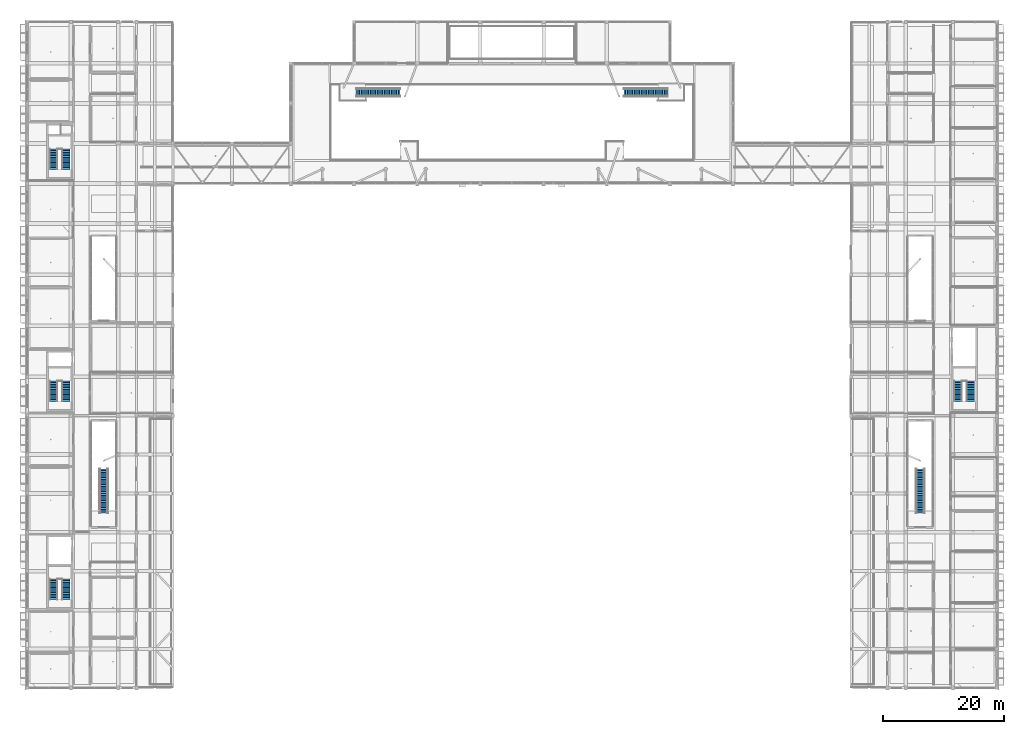
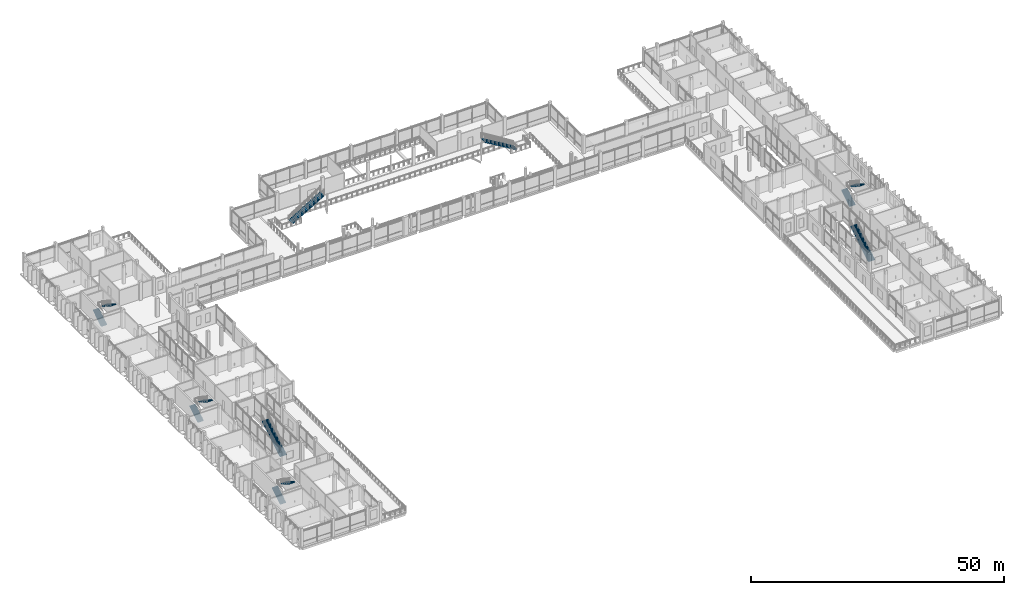
# One storey, part 65 of 95: 12 stair flights, 8 elements without a shape of their own.
"""IFC4 building model written with IfcOpenShell, lengths in metres."""

from ifc_helpers import new_model, si_unit, derived_unit, direction, frame, origin, place, context, subcontext, project, spatial, polyline, outline, extrude, material, type_object, element, aggregate, save


model = new_model("IFC4")

# Units and contexts
model_context = context("Model", 3, precision=1e-05, world=origin(), true_north=direction((0.0, 1.0)))
body_context = subcontext(model_context, "Body", "Model", "MODEL_VIEW")
ifc_project = project(units=[si_unit("LENGTHUNIT", "METRE"), si_unit("AREAUNIT", "SQUARE_METRE"), si_unit("VOLUMEUNIT", "CUBIC_METRE"), si_unit("PLANEANGLEUNIT", "RADIAN"), si_unit("MASSUNIT", "GRAM", prefix="KILO"), derived_unit("THERMALTRANSMITTANCEUNIT", [(si_unit("POWERUNIT", "WATT"), 1), (si_unit("LENGTHUNIT", "METRE"), -2), (si_unit("THERMODYNAMICTEMPERATUREUNIT", "KELVIN"), -1)])], contexts=[model_context])

# Site, building, storey
site_placement = place(None, origin())
site = spatial("IfcSite", under=ifc_project, at=site_placement, CompositionType="ELEMENT")
building_placement = place(site_placement, origin())
building = spatial("IfcBuilding", under=site, at=building_placement, Name="Braskholm Square Health Centre", CompositionType="ELEMENT")
storey_placement = place(building_placement, frame((0.0, 0.0, 4.800048828125)))
storey = spatial("IfcBuildingStorey", under=building, at=storey_placement, Name="L02", CompositionType="ELEMENT", Elevation=4.800048828125)

# Stair, stair flights
ifc_material = material(Name="Concrete C35/45 (f'c = 35 MPa)", Category="concrete")
stair_type_1 = type_object("IfcStairType", Name="ExitReturnStairL02", PredefinedType="HALF_TURN_STAIR", material=ifc_material)
stair_1_placement = place(storey_placement, origin())
stair_1 = element("IfcStair", 1, at=stair_1_placement, inside=storey, type_object=stair_type_1, Name="Enclosed exit stair ST-01 L02 to L03", PredefinedType="HALF_TURN_STAIR")
stair_flight_type_1 = type_object("IfcStairFlightType", Name="ExitStairFlightL02", PredefinedType="STRAIGHT", material=ifc_material)
stair_flight_1_placement = place(storey_placement, frame((8.510009765625, 18.760009765625, 0.0), z_axis=(0.0, 0.0, 1.0), x_axis=(0.0, 1.0, 0.0)))
stair_flight_1 = element("IfcStairFlight", 2, at=stair_flight_1_placement, type_object=stair_flight_type_1, Name="Stair ST-01 lower flight L02", NumberOfRisers=13, NumberOfTreads=12, PredefinedType="STRAIGHT", RiserHeight=0.173077, TreadLength=0.28, context=body_context, shape_type="SweptSolid", body=[
    extrude(outline(polyline([(0.0, 0.0), (0.0, 0.173095703125), (0.280029296875, 0.173095703125), (0.280029296875, 0.34619140625), (0.56005859375, 0.34619140625), (0.56005859375, 0.519287109375), (0.840087890625, 0.519287109375), (0.840087890625, 0.6923828125), (1.1201171875, 0.6923828125), (1.1201171875, 0.865478515625), (1.39990234375, 0.865478515625), (1.39990234375, 1.03857421875), (1.679931640625, 1.03857421875), (1.679931640625, 1.21142578125), (1.9599609375, 1.21142578125), (1.9599609375, 1.384521484375), (2.239990234375, 1.384521484375), (2.239990234375, 1.5576171875), (2.52001953125, 1.5576171875), (2.52001953125, 1.730712890625), (2.800048828125, 1.730712890625), (2.800048828125, 1.90380859375), (3.080078125, 1.90380859375), (3.080078125, 2.076904296875), (3.360107421875, 2.076904296875), (3.360107421875, 2.25), (3.360107421875, 1.888916015625), (0.30419921875, 0.0), (0.0, 0.0)])), frame((0.0, 0.66015625, 0.0), z_axis=(0.0, -1.0, 0.0), x_axis=(1.0, 0.0, 0.0)), (0.0, 0.0, 1.0), 1.320068359375),
])
stair_flight_2_placement = place(storey_placement, frame((10.590087890625, 22.1201171875, 2.25), z_axis=(0.0, 0.0, 1.0), x_axis=(0.0, -1.0, 0.0)))
stair_flight_2 = element("IfcStairFlight", 3, at=stair_flight_2_placement, type_object=stair_flight_type_1, Name="Stair ST-01 upper flight L02", NumberOfRisers=13, NumberOfTreads=12, PredefinedType="STRAIGHT", RiserHeight=0.173077, TreadLength=0.28, context=body_context, shape_type="SweptSolid", body=[
    extrude(outline(polyline([(0.0, 0.0), (0.0, 0.173095703125), (0.280029296875, 0.173095703125), (0.280029296875, 0.34619140625), (0.56005859375, 0.34619140625), (0.56005859375, 0.519287109375), (0.840087890625, 0.519287109375), (0.840087890625, 0.6923828125), (1.1201171875, 0.6923828125), (1.1201171875, 0.865478515625), (1.39990234375, 0.865478515625), (1.39990234375, 1.03857421875), (1.679931640625, 1.03857421875), (1.679931640625, 1.21142578125), (1.9599609375, 1.21142578125), (1.9599609375, 1.384521484375), (2.239990234375, 1.384521484375), (2.239990234375, 1.5576171875), (2.52001953125, 1.5576171875), (2.52001953125, 1.730712890625), (2.800048828125, 1.730712890625), (2.800048828125, 1.90380859375), (3.080078125, 1.90380859375), (3.080078125, 2.076904296875), (3.360107421875, 2.076904296875), (3.360107421875, 2.25), (3.360107421875, 1.888916015625), (0.30419921875, 0.0), (0.0, 0.0)])), frame((0.0, 0.66015625, 0.0), z_axis=(0.0, -1.0, 0.0), x_axis=(1.0, 0.0, 0.0)), (0.0, 0.0, 1.0), 1.320068359375),
])
aggregate(stair_1, [stair_flight_1, stair_flight_2])

stair_2_placement = place(storey_placement, origin())
stair_2 = element("IfcStair", 4, at=stair_2_placement, inside=storey, type_object=stair_type_1, Name="Enclosed exit stair ST-02 L02 to L03", PredefinedType="HALF_TURN_STAIR")
stair_flight_3_placement = place(storey_placement, frame((8.510009765625, 51.360107421875, 0.0), z_axis=(0.0, 0.0, 1.0), x_axis=(0.0, 1.0, 0.0)))
stair_flight_3 = element("IfcStairFlight", 5, at=stair_flight_3_placement, type_object=stair_flight_type_1, Name="Stair ST-02 lower flight L02", NumberOfRisers=13, NumberOfTreads=12, PredefinedType="STRAIGHT", RiserHeight=0.173077, TreadLength=0.28, context=body_context, shape_type="SweptSolid", body=[
    extrude(outline(polyline([(0.0, 0.0), (0.0, 0.173095703125), (0.280029296875, 0.173095703125), (0.280029296875, 0.34619140625), (0.56005859375, 0.34619140625), (0.56005859375, 0.519287109375), (0.840087890625, 0.519287109375), (0.840087890625, 0.6923828125), (1.1201171875, 0.6923828125), (1.1201171875, 0.865478515625), (1.39990234375, 0.865478515625), (1.39990234375, 1.03857421875), (1.679931640625, 1.03857421875), (1.679931640625, 1.21142578125), (1.9599609375, 1.21142578125), (1.9599609375, 1.384521484375), (2.239990234375, 1.384521484375), (2.239990234375, 1.5576171875), (2.52001953125, 1.5576171875), (2.52001953125, 1.730712890625), (2.800048828125, 1.730712890625), (2.800048828125, 1.90380859375), (3.080078125, 1.90380859375), (3.080078125, 2.076904296875), (3.360107421875, 2.076904296875), (3.360107421875, 2.25), (3.360107421875, 1.888916015625), (0.30419921875, 0.0), (0.0, 0.0)])), frame((0.0, 0.66015625, 0.0), z_axis=(0.0, -1.0, 0.0), x_axis=(1.0, 0.0, 0.0)), (0.0, 0.0, 1.0), 1.320068359375),
])
stair_flight_4_placement = place(storey_placement, frame((10.590087890625, 54.719970703125, 2.25), z_axis=(0.0, 0.0, 1.0), x_axis=(0.0, -1.0, 0.0)))
stair_flight_4 = element("IfcStairFlight", 6, at=stair_flight_4_placement, type_object=stair_flight_type_1, Name="Stair ST-02 upper flight L02", NumberOfRisers=13, NumberOfTreads=12, PredefinedType="STRAIGHT", RiserHeight=0.173077, TreadLength=0.28, context=body_context, shape_type="SweptSolid", body=[
    extrude(outline(polyline([(0.0, 0.0), (0.0, 0.173095703125), (0.280029296875, 0.173095703125), (0.280029296875, 0.34619140625), (0.56005859375, 0.34619140625), (0.56005859375, 0.519287109375), (0.840087890625, 0.519287109375), (0.840087890625, 0.6923828125), (1.1201171875, 0.6923828125), (1.1201171875, 0.865478515625), (1.39990234375, 0.865478515625), (1.39990234375, 1.03857421875), (1.679931640625, 1.03857421875), (1.679931640625, 1.21142578125), (1.9599609375, 1.21142578125), (1.9599609375, 1.384521484375), (2.239990234375, 1.384521484375), (2.239990234375, 1.5576171875), (2.52001953125, 1.5576171875), (2.52001953125, 1.730712890625), (2.800048828125, 1.730712890625), (2.800048828125, 1.90380859375), (3.080078125, 1.90380859375), (3.080078125, 2.076904296875), (3.360107421875, 2.076904296875), (3.360107421875, 2.25), (3.360107421875, 1.888916015625), (0.30419921875, 0.0), (0.0, 0.0)])), frame((0.0, 0.66015625, 0.0), z_axis=(0.0, -1.0, 0.0), x_axis=(1.0, 0.0, 0.0)), (0.0, 0.0, 1.0), 1.320068359375),
])
aggregate(stair_2, [stair_flight_3, stair_flight_4])

stair_3_placement = place(storey_placement, origin())
stair_3 = element("IfcStair", 7, at=stair_3_placement, inside=storey, type_object=stair_type_1, Name="Enclosed exit stair ST-03 L02 to L03", PredefinedType="HALF_TURN_STAIR")
stair_flight_5_placement = place(storey_placement, frame((8.510009765625, 89.56005859375, 0.0), z_axis=(0.0, 0.0, 1.0), x_axis=(0.0, 1.0, 0.0)))
stair_flight_5 = element("IfcStairFlight", 8, at=stair_flight_5_placement, type_object=stair_flight_type_1, Name="Stair ST-03 lower flight L02", NumberOfRisers=13, NumberOfTreads=12, PredefinedType="STRAIGHT", RiserHeight=0.173077, TreadLength=0.28, context=body_context, shape_type="SweptSolid", body=[
    extrude(outline(polyline([(0.0, 0.0), (0.0, 0.173095703125), (0.280029296875, 0.173095703125), (0.280029296875, 0.34619140625), (0.56005859375, 0.34619140625), (0.56005859375, 0.519287109375), (0.840087890625, 0.519287109375), (0.840087890625, 0.6923828125), (1.1201171875, 0.6923828125), (1.1201171875, 0.865478515625), (1.39990234375, 0.865478515625), (1.39990234375, 1.03857421875), (1.679931640625, 1.03857421875), (1.679931640625, 1.21142578125), (1.9599609375, 1.21142578125), (1.9599609375, 1.384521484375), (2.239990234375, 1.384521484375), (2.239990234375, 1.5576171875), (2.52001953125, 1.5576171875), (2.52001953125, 1.730712890625), (2.800048828125, 1.730712890625), (2.800048828125, 1.90380859375), (3.080078125, 1.90380859375), (3.080078125, 2.076904296875), (3.360107421875, 2.076904296875), (3.360107421875, 2.25), (3.360107421875, 1.888916015625), (0.30419921875, 0.0), (0.0, 0.0)])), frame((0.0, 0.66015625, 0.0), z_axis=(0.0, -1.0, 0.0), x_axis=(1.0, 0.0, 0.0)), (0.0, 0.0, 1.0), 1.320068359375),
])
stair_flight_6_placement = place(storey_placement, frame((10.590087890625, 92.919921875, 2.25), z_axis=(0.0, 0.0, 1.0), x_axis=(0.0, -1.0, 0.0)))
stair_flight_6 = element("IfcStairFlight", 9, at=stair_flight_6_placement, type_object=stair_flight_type_1, Name="Stair ST-03 upper flight L02", NumberOfRisers=13, NumberOfTreads=12, PredefinedType="STRAIGHT", RiserHeight=0.173077, TreadLength=0.28, context=body_context, shape_type="SweptSolid", body=[
    extrude(outline(polyline([(0.0, 0.0), (0.0, 0.173095703125), (0.280029296875, 0.173095703125), (0.280029296875, 0.34619140625), (0.56005859375, 0.34619140625), (0.56005859375, 0.519287109375), (0.840087890625, 0.519287109375), (0.840087890625, 0.6923828125), (1.1201171875, 0.6923828125), (1.1201171875, 0.865478515625), (1.39990234375, 0.865478515625), (1.39990234375, 1.03857421875), (1.679931640625, 1.03857421875), (1.679931640625, 1.21142578125), (1.9599609375, 1.21142578125), (1.9599609375, 1.384521484375), (2.239990234375, 1.384521484375), (2.239990234375, 1.5576171875), (2.52001953125, 1.5576171875), (2.52001953125, 1.730712890625), (2.800048828125, 1.730712890625), (2.800048828125, 1.90380859375), (3.080078125, 1.90380859375), (3.080078125, 2.076904296875), (3.360107421875, 2.076904296875), (3.360107421875, 2.25), (3.360107421875, 1.888916015625), (0.30419921875, 0.0), (0.0, 0.0)])), frame((0.0, 0.66015625, 0.0), z_axis=(0.0, -1.0, 0.0), x_axis=(1.0, 0.0, 0.0)), (0.0, 0.0, 1.0), 1.320068359375),
])
aggregate(stair_3, [stair_flight_5, stair_flight_6])

stair_4_placement = place(storey_placement, origin())
stair_4 = element("IfcStair", 10, at=stair_4_placement, inside=storey, type_object=stair_type_1, Name="Enclosed exit stair ST-04 L02 to L03", PredefinedType="HALF_TURN_STAIR")
stair_flight_7_placement = place(storey_placement, frame((157.409912109375, 51.360107421875, 0.0), z_axis=(0.0, 0.0, 1.0), x_axis=(0.0, 1.0, 0.0)))
stair_flight_7 = element("IfcStairFlight", 11, at=stair_flight_7_placement, type_object=stair_flight_type_1, Name="Stair ST-04 lower flight L02", NumberOfRisers=13, NumberOfTreads=12, PredefinedType="STRAIGHT", RiserHeight=0.173077, TreadLength=0.28, context=body_context, shape_type="SweptSolid", body=[
    extrude(outline(polyline([(0.0, 0.0), (0.0, 0.173095703125), (0.280029296875, 0.173095703125), (0.280029296875, 0.34619140625), (0.56005859375, 0.34619140625), (0.56005859375, 0.519287109375), (0.840087890625, 0.519287109375), (0.840087890625, 0.6923828125), (1.1201171875, 0.6923828125), (1.1201171875, 0.865478515625), (1.39990234375, 0.865478515625), (1.39990234375, 1.03857421875), (1.679931640625, 1.03857421875), (1.679931640625, 1.21142578125), (1.9599609375, 1.21142578125), (1.9599609375, 1.384521484375), (2.239990234375, 1.384521484375), (2.239990234375, 1.5576171875), (2.52001953125, 1.5576171875), (2.52001953125, 1.730712890625), (2.800048828125, 1.730712890625), (2.800048828125, 1.90380859375), (3.080078125, 1.90380859375), (3.080078125, 2.076904296875), (3.360107421875, 2.076904296875), (3.360107421875, 2.25), (3.360107421875, 1.888916015625), (0.30419921875, 0.0), (0.0, 0.0)])), frame((0.0, 0.66015625, 0.0), z_axis=(0.0, -1.0, 0.0), x_axis=(1.0, 0.0, 0.0)), (0.0, 0.0, 1.0), 1.320068359375),
])
stair_flight_8_placement = place(storey_placement, frame((159.489990234375, 54.719970703125, 2.25), z_axis=(0.0, 0.0, 1.0), x_axis=(0.0, -1.0, 0.0)))
stair_flight_8 = element("IfcStairFlight", 12, at=stair_flight_8_placement, type_object=stair_flight_type_1, Name="Stair ST-04 upper flight L02", NumberOfRisers=13, NumberOfTreads=12, PredefinedType="STRAIGHT", RiserHeight=0.173077, TreadLength=0.28, context=body_context, shape_type="SweptSolid", body=[
    extrude(outline(polyline([(0.0, 0.0), (0.0, 0.173095703125), (0.280029296875, 0.173095703125), (0.280029296875, 0.34619140625), (0.56005859375, 0.34619140625), (0.56005859375, 0.519287109375), (0.840087890625, 0.519287109375), (0.840087890625, 0.6923828125), (1.1201171875, 0.6923828125), (1.1201171875, 0.865478515625), (1.39990234375, 0.865478515625), (1.39990234375, 1.03857421875), (1.679931640625, 1.03857421875), (1.679931640625, 1.21142578125), (1.9599609375, 1.21142578125), (1.9599609375, 1.384521484375), (2.239990234375, 1.384521484375), (2.239990234375, 1.5576171875), (2.52001953125, 1.5576171875), (2.52001953125, 1.730712890625), (2.800048828125, 1.730712890625), (2.800048828125, 1.90380859375), (3.080078125, 1.90380859375), (3.080078125, 2.076904296875), (3.360107421875, 2.076904296875), (3.360107421875, 2.25), (3.360107421875, 1.888916015625), (0.30419921875, 0.0), (0.0, 0.0)])), frame((0.0, 0.66015625, 0.0), z_axis=(0.0, -1.0, 0.0), x_axis=(1.0, 0.0, 0.0)), (0.0, 0.0, 1.0), 1.320068359375),
])
aggregate(stair_4, [stair_flight_7, stair_flight_8])

# Stair, stair flight
stair_type_2 = type_object("IfcStairType", Name="StraightRunStairConservatory", PredefinedType="STRAIGHT_RUN_STAIR", material=ifc_material)
stair_5_placement = place(storey_placement, origin())
stair_5 = element("IfcStair", 13, at=stair_5_placement, inside=storey, type_object=stair_type_2, Name="Enclosed atrium feature stair ST-11", PredefinedType="STRAIGHT_RUN_STAIR")
stair_flight_type_2 = type_object("IfcStairFlightType", Name="StraightFlightConservatory", PredefinedType="STRAIGHT", material=ifc_material)
stair_flight_9_placement = place(storey_placement, frame((58.35009765625, 102.199951171875, 0.0), z_axis=(0.0, 0.0, 1.0), x_axis=(1.0, 0.0, 0.0)))
stair_flight_9 = element("IfcStairFlight", 14, at=stair_flight_9_placement, type_object=stair_flight_type_2, Name="Stair ST-11 straight flight", NumberOfRisers=26, NumberOfTreads=25, PredefinedType="STRAIGHT", RiserHeight=0.173077, TreadLength=0.29, context=body_context, shape_type="SweptSolid", body=[
    extrude(outline(polyline([(0.0, 0.0), (0.0, 0.173095703125), (0.2900390625, 0.173095703125), (0.2900390625, 0.34619140625), (0.580078125, 0.34619140625), (0.580078125, 0.519287109375), (0.8701171875, 0.519287109375), (0.8701171875, 0.6923828125), (1.159912109375, 0.6923828125), (1.159912109375, 0.865478515625), (1.449951171875, 0.865478515625), (1.449951171875, 1.03857421875), (1.739990234375, 1.03857421875), (1.739990234375, 1.21142578125), (2.030029296875, 1.21142578125), (2.030029296875, 1.384521484375), (2.320068359375, 1.384521484375), (2.320068359375, 1.5576171875), (2.610107421875, 1.5576171875), (2.610107421875, 1.730712890625), (2.89990234375, 1.730712890625), (2.89990234375, 1.90380859375), (3.18994140625, 1.90380859375), (3.18994140625, 2.076904296875), (3.47998046875, 2.076904296875), (3.47998046875, 2.25), (3.77001953125, 2.25), (3.77001953125, 2.423095703125), (4.06005859375, 2.423095703125), (4.06005859375, 2.59619140625), (4.35009765625, 2.59619140625), (4.35009765625, 2.769287109375), (4.639892578125, 2.769287109375), (4.639892578125, 2.9423828125), (4.929931640625, 2.9423828125), (4.929931640625, 3.115478515625), (5.219970703125, 3.115478515625), (5.219970703125, 3.28857421875), (5.510009765625, 3.28857421875), (5.510009765625, 3.46142578125), (5.800048828125, 3.46142578125), (5.800048828125, 3.634521484375), (6.090087890625, 3.634521484375), (6.090087890625, 3.8076171875), (6.3798828125, 3.8076171875), (6.3798828125, 3.980712890625), (6.669921875, 3.980712890625), (6.669921875, 4.15380859375), (6.9599609375, 4.15380859375), (6.9599609375, 4.326904296875), (7.25, 4.326904296875), (7.25, 4.5), (7.25, 4.117431640625), (0.35107421875, 0.0), (0.0, 0.0)])), frame((0.0, 0.75, 0.0), z_axis=(0.0, -1.0, 0.0), x_axis=(1.0, 0.0, 0.0)), (0.0, 0.0, 1.0), 1.5),
])
aggregate(stair_5, [stair_flight_9])

stair_6_placement = place(storey_placement, origin())
stair_6 = element("IfcStair", 15, at=stair_6_placement, inside=storey, type_object=stair_type_2, Name="Enclosed atrium feature stair ST-12", PredefinedType="STRAIGHT_RUN_STAIR")
stair_flight_10_placement = place(storey_placement, frame((109.64990234375, 102.199951171875, 0.0), z_axis=(0.0, 0.0, 1.0), x_axis=(-1.0, 0.0, 0.0)))
stair_flight_10 = element("IfcStairFlight", 16, at=stair_flight_10_placement, type_object=stair_flight_type_2, Name="Stair ST-12 straight flight", NumberOfRisers=26, NumberOfTreads=25, PredefinedType="STRAIGHT", RiserHeight=0.173077, TreadLength=0.29, context=body_context, shape_type="SweptSolid", body=[
    extrude(outline(polyline([(0.0, 0.0), (0.0, 0.173095703125), (0.2900390625, 0.173095703125), (0.2900390625, 0.34619140625), (0.580078125, 0.34619140625), (0.580078125, 0.519287109375), (0.8701171875, 0.519287109375), (0.8701171875, 0.6923828125), (1.159912109375, 0.6923828125), (1.159912109375, 0.865478515625), (1.449951171875, 0.865478515625), (1.449951171875, 1.03857421875), (1.739990234375, 1.03857421875), (1.739990234375, 1.21142578125), (2.030029296875, 1.21142578125), (2.030029296875, 1.384521484375), (2.320068359375, 1.384521484375), (2.320068359375, 1.5576171875), (2.610107421875, 1.5576171875), (2.610107421875, 1.730712890625), (2.89990234375, 1.730712890625), (2.89990234375, 1.90380859375), (3.18994140625, 1.90380859375), (3.18994140625, 2.076904296875), (3.47998046875, 2.076904296875), (3.47998046875, 2.25), (3.77001953125, 2.25), (3.77001953125, 2.423095703125), (4.06005859375, 2.423095703125), (4.06005859375, 2.59619140625), (4.35009765625, 2.59619140625), (4.35009765625, 2.769287109375), (4.639892578125, 2.769287109375), (4.639892578125, 2.9423828125), (4.929931640625, 2.9423828125), (4.929931640625, 3.115478515625), (5.219970703125, 3.115478515625), (5.219970703125, 3.28857421875), (5.510009765625, 3.28857421875), (5.510009765625, 3.46142578125), (5.800048828125, 3.46142578125), (5.800048828125, 3.634521484375), (6.090087890625, 3.634521484375), (6.090087890625, 3.8076171875), (6.3798828125, 3.8076171875), (6.3798828125, 3.980712890625), (6.669921875, 3.980712890625), (6.669921875, 4.15380859375), (6.9599609375, 4.15380859375), (6.9599609375, 4.326904296875), (7.25, 4.326904296875), (7.25, 4.5), (7.25, 4.117431640625), (0.35107421875, 0.0), (0.0, 0.0)])), frame((0.0, 0.75, 0.0), z_axis=(0.0, -1.0, 0.0), x_axis=(1.0, 0.0, 0.0)), (0.0, 0.0, 1.0), 1.5),
])
aggregate(stair_6, [stair_flight_10])

stair_7_placement = place(storey_placement, origin())
stair_7 = element("IfcStair", 17, at=stair_7_placement, inside=storey, type_object=stair_type_2, Name="Enclosed atrium feature stair ST-07", PredefinedType="STRAIGHT_RUN_STAIR")
stair_flight_11_placement = place(storey_placement, frame((16.800048828125, 33.0, 0.0), z_axis=(0.0, 0.0, 1.0), x_axis=(0.0, 1.0, 0.0)))
stair_flight_11 = element("IfcStairFlight", 18, at=stair_flight_11_placement, type_object=stair_flight_type_2, Name="Stair ST-07 straight flight", NumberOfRisers=26, NumberOfTreads=25, PredefinedType="STRAIGHT", RiserHeight=0.173077, TreadLength=0.29, context=body_context, shape_type="SweptSolid", body=[
    extrude(outline(polyline([(0.0, 0.0), (0.0, 0.173095703125), (0.2900390625, 0.173095703125), (0.2900390625, 0.34619140625), (0.580078125, 0.34619140625), (0.580078125, 0.519287109375), (0.8701171875, 0.519287109375), (0.8701171875, 0.6923828125), (1.159912109375, 0.6923828125), (1.159912109375, 0.865478515625), (1.449951171875, 0.865478515625), (1.449951171875, 1.03857421875), (1.739990234375, 1.03857421875), (1.739990234375, 1.21142578125), (2.030029296875, 1.21142578125), (2.030029296875, 1.384521484375), (2.320068359375, 1.384521484375), (2.320068359375, 1.5576171875), (2.610107421875, 1.5576171875), (2.610107421875, 1.730712890625), (2.89990234375, 1.730712890625), (2.89990234375, 1.90380859375), (3.18994140625, 1.90380859375), (3.18994140625, 2.076904296875), (3.47998046875, 2.076904296875), (3.47998046875, 2.25), (3.77001953125, 2.25), (3.77001953125, 2.423095703125), (4.06005859375, 2.423095703125), (4.06005859375, 2.59619140625), (4.35009765625, 2.59619140625), (4.35009765625, 2.769287109375), (4.639892578125, 2.769287109375), (4.639892578125, 2.9423828125), (4.929931640625, 2.9423828125), (4.929931640625, 3.115478515625), (5.219970703125, 3.115478515625), (5.219970703125, 3.28857421875), (5.510009765625, 3.28857421875), (5.510009765625, 3.46142578125), (5.800048828125, 3.46142578125), (5.800048828125, 3.634521484375), (6.090087890625, 3.634521484375), (6.090087890625, 3.8076171875), (6.3798828125, 3.8076171875), (6.3798828125, 3.980712890625), (6.669921875, 3.980712890625), (6.669921875, 4.15380859375), (6.9599609375, 4.15380859375), (6.9599609375, 4.326904296875), (7.25, 4.326904296875), (7.25, 4.5), (7.25, 4.117431640625), (0.35107421875, 0.0), (0.0, 0.0)])), frame((0.0, 0.75, 0.0), z_axis=(0.0, -1.0, 0.0), x_axis=(1.0, 0.0, 0.0)), (0.0, 0.0, 1.0), 1.5),
])
aggregate(stair_7, [stair_flight_11])

stair_8_placement = place(storey_placement, origin())
stair_8 = element("IfcStair", 19, at=stair_8_placement, inside=storey, type_object=stair_type_2, Name="Enclosed atrium feature stair ST-08", PredefinedType="STRAIGHT_RUN_STAIR")
stair_flight_12_placement = place(storey_placement, frame((151.199951171875, 33.0, 0.0), z_axis=(0.0, 0.0, 1.0), x_axis=(0.0, 1.0, 0.0)))
stair_flight_12 = element("IfcStairFlight", 20, at=stair_flight_12_placement, type_object=stair_flight_type_2, Name="Stair ST-08 straight flight", NumberOfRisers=26, NumberOfTreads=25, PredefinedType="STRAIGHT", RiserHeight=0.173077, TreadLength=0.29, context=body_context, shape_type="SweptSolid", body=[
    extrude(outline(polyline([(0.0, 0.0), (0.0, 0.173095703125), (0.2900390625, 0.173095703125), (0.2900390625, 0.34619140625), (0.580078125, 0.34619140625), (0.580078125, 0.519287109375), (0.8701171875, 0.519287109375), (0.8701171875, 0.6923828125), (1.159912109375, 0.6923828125), (1.159912109375, 0.865478515625), (1.449951171875, 0.865478515625), (1.449951171875, 1.03857421875), (1.739990234375, 1.03857421875), (1.739990234375, 1.21142578125), (2.030029296875, 1.21142578125), (2.030029296875, 1.384521484375), (2.320068359375, 1.384521484375), (2.320068359375, 1.5576171875), (2.610107421875, 1.5576171875), (2.610107421875, 1.730712890625), (2.89990234375, 1.730712890625), (2.89990234375, 1.90380859375), (3.18994140625, 1.90380859375), (3.18994140625, 2.076904296875), (3.47998046875, 2.076904296875), (3.47998046875, 2.25), (3.77001953125, 2.25), (3.77001953125, 2.423095703125), (4.06005859375, 2.423095703125), (4.06005859375, 2.59619140625), (4.35009765625, 2.59619140625), (4.35009765625, 2.769287109375), (4.639892578125, 2.769287109375), (4.639892578125, 2.9423828125), (4.929931640625, 2.9423828125), (4.929931640625, 3.115478515625), (5.219970703125, 3.115478515625), (5.219970703125, 3.28857421875), (5.510009765625, 3.28857421875), (5.510009765625, 3.46142578125), (5.800048828125, 3.46142578125), (5.800048828125, 3.634521484375), (6.090087890625, 3.634521484375), (6.090087890625, 3.8076171875), (6.3798828125, 3.8076171875), (6.3798828125, 3.980712890625), (6.669921875, 3.980712890625), (6.669921875, 4.15380859375), (6.9599609375, 4.15380859375), (6.9599609375, 4.326904296875), (7.25, 4.326904296875), (7.25, 4.5), (7.25, 4.117431640625), (0.35107421875, 0.0), (0.0, 0.0)])), frame((0.0, 0.75, 0.0), z_axis=(0.0, -1.0, 0.0), x_axis=(1.0, 0.0, 0.0)), (0.0, 0.0, 1.0), 1.5),
])
aggregate(stair_8, [stair_flight_12])

save(model, "model.ifc")
